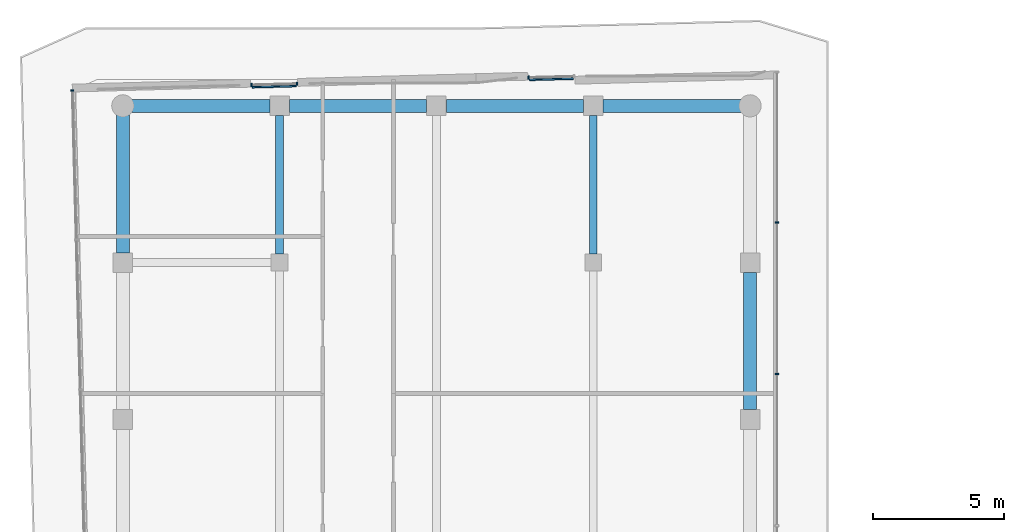
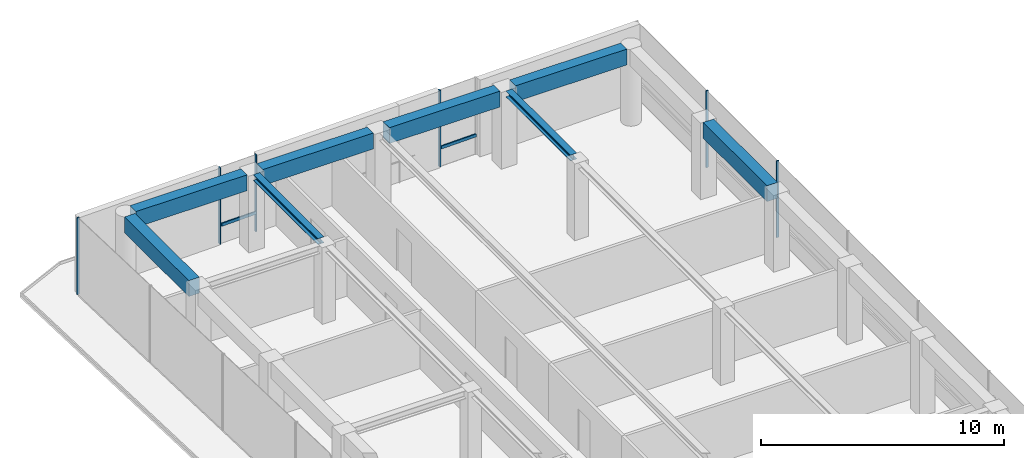
# One storey, part 13 of 20: 8 beams, 8 members, 4 elements without a shape of their own.
"""IFC4 building model written with IfcOpenShell, lengths in metres."""

from ifc_helpers import new_model, si_unit, direction, frame, origin, origin_2d, place, context, subcontext, project, spatial, rectangle, i_section, extrude, material, layer, layer_set, material_profile, profile_set, type_object, element, aggregate, save


model = new_model("IFC4")

# Units and contexts
model_context = context("Model", 3, precision=1e-05, world=origin(), true_north=direction((0.0, 1.0)))
body_context = subcontext(model_context, "Body", "Model", "MODEL_VIEW")
ifc_project = project(units=[si_unit("LENGTHUNIT", "METRE"), si_unit("AREAUNIT", "SQUARE_METRE"), si_unit("VOLUMEUNIT", "CUBIC_METRE"), si_unit("PLANEANGLEUNIT", "RADIAN"), si_unit("MASSUNIT", "GRAM", prefix="KILO")], contexts=[model_context])

# Site, building, storey
site_placement = place(None, origin())
site = spatial("IfcSite", under=ifc_project, at=site_placement, CompositionType="ELEMENT")
building_placement = place(site_placement, origin())
building = spatial("IfcBuilding", under=site, at=building_placement, Name="Welwitschia Terrace Campus", CompositionType="ELEMENT")
storey_placement = place(building_placement, frame((0.0, 0.0, 293.60009765625)))
storey = spatial("IfcBuildingStorey", under=building, at=storey_placement, Name="L65", CompositionType="ELEMENT", Elevation=293.60009765625)

# Beams
ifc_material_1 = material(Name="Steel S355", Category="steel")
ifc_material_profile_1 = material_profile(ifc_material_1, i_section(OverallWidth=0.300048828125, OverallDepth=0.300048828125, WebThickness=0.010986328125, FlangeThickness=0.01904296875, FilletRadius=0.027099609375, at=origin_2d()))
ifc_profile_set_1 = profile_set([ifc_material_profile_1], Name="Steel S355")
beam_type_1 = type_object("IfcBeamType", Name="Interior girder HE 300 B", PredefinedType="BEAM", material=ifc_profile_set_1)
for number, where, z_axis, x_axis, name in (
    (1, (6.0, 56.325439453125, 3.699951171875), (0.0, 1.0, 0.0), (-1.0, 0.0, 0.0), "Girder GB6"),
    (2, (18.0, 56.325439453125, 3.699951171875), (0.0, 1.0, 0.0), (-1.0, 0.0, 0.0), "Girder GB6"),
):
    element("IfcBeam", number, at=place(storey_placement, frame(where, z_axis=z_axis, x_axis=x_axis)), inside=storey, type_object=beam_type_1, Name=name, PredefinedType="BEAM", context=body_context, shape_type="SweptSolid", body=[
        extrude(i_section(OverallWidth=0.300048828125, OverallDepth=0.300048828125, WebThickness=0.010986328125, FlangeThickness=0.01904296875, FilletRadius=0.027099609375, at=origin_2d()), origin(), (0.0, 0.0, 1.0), 5.30908203125),
    ])

# Curtain wall, member
ifc_material_2 = material(Name="Bronze anodised aluminium", Category="aluminium")
ifc_layer = layer(ifc_material_2, 0.1201171875)
ifc_layer_set = layer_set([ifc_layer], Name="Bronze anodised aluminium")
curtain_wall_type = type_object("IfcCurtainWallType", Name="Curtain wall CW2 tower 6000", PredefinedType="NOTDEFINED", material=ifc_layer_set)
curtain_wall_1_placement = place(storey_placement, origin())
curtain_wall_1 = element("IfcCurtainWall", 3, at=curtain_wall_1_placement, inside=storey, type_object=curtain_wall_type, Name="CW L65.0.0", PredefinedType="NOTDEFINED")
ifc_material_3 = material(Name="Bronze anodised aluminium", Category="aluminium")
ifc_material_profile_2 = material_profile(ifc_material_3, rectangle(XDim=0.1201171875, YDim=0.06005859375, at=origin_2d()))
ifc_profile_set_2 = profile_set([ifc_material_profile_2], Name="Bronze anodised aluminium")
member_type_1 = type_object("IfcMemberType", Name="Mullion 60x120", PredefinedType="MULLION", material=ifc_profile_set_2)
member_1_placement = place(storey_placement, frame((-1.9306640625, 62.58544921875, 0.0), z_axis=(0.0, 0.0, 1.0), x_axis=(0.999657324976, 0.026176948308, 0.0)))
member_1 = element("IfcMember", 4, at=member_1_placement, type_object=member_type_1, Name="Mullion L65.0.0.0", PredefinedType="MULLION", context=body_context, shape_type="SweptSolid", body=[
    extrude(rectangle(XDim=0.1201171875, YDim=0.06005859375, at=origin_2d()), origin(), (0.0, 0.0, 1.0), 3.849853515625),
])
aggregate(curtain_wall_1, [member_1])

# Curtain wall, members
curtain_wall_2_placement = place(storey_placement, origin())
curtain_wall_2 = element("IfcCurtainWall", 5, at=curtain_wall_2_placement, inside=storey, type_object=curtain_wall_type, Name="CW L65.9.0", PredefinedType="NOTDEFINED")
member_2_placement = place(storey_placement, frame((25.030029296875, 51.73193359375, 0.0), z_axis=(0.0, 0.0, 1.0), x_axis=(-1.0, 0.0, 0.0)))
member_2 = element("IfcMember", 6, at=member_2_placement, type_object=member_type_1, Name="Mullion L65.9.0.4", PredefinedType="MULLION", context=body_context, shape_type="SweptSolid", body=[
    extrude(rectangle(XDim=0.1201171875, YDim=0.06005859375, at=origin_2d()), origin(), (0.0, 0.0, 1.0), 3.849853515625),
])
member_3_placement = place(storey_placement, frame((25.030029296875, 57.53173828125, 0.0), z_axis=(0.0, 0.0, 1.0), x_axis=(-1.0, 0.0, 0.0)))
member_3 = element("IfcMember", 7, at=member_3_placement, type_object=member_type_1, Name="Mullion L65.9.0.5", PredefinedType="MULLION", context=body_context, shape_type="SweptSolid", body=[
    extrude(rectangle(XDim=0.1201171875, YDim=0.06005859375, at=origin_2d()), origin(), (0.0, 0.0, 1.0), 3.849853515625),
])
aggregate(curtain_wall_2, [member_2, member_3])

# Curtain wall, member
curtain_wall_3_placement = place(storey_placement, origin())
curtain_wall_3 = element("IfcCurtainWall", 8, at=curtain_wall_3_placement, inside=storey, type_object=curtain_wall_type, Name="CW L65.10.S0", PredefinedType="NOTDEFINED")
member_4_placement = place(storey_placement, frame((15.52734375, 63.08251953125, 0.0), z_axis=(0.0, 0.0, 1.0), x_axis=(0.026176948308, -0.999657324976, 0.0)))
member_4 = element("IfcMember", 9, at=member_4_placement, type_object=member_type_1, Name="Mullion L65.10.S0.1", PredefinedType="MULLION", context=body_context, shape_type="SweptSolid", body=[
    extrude(rectangle(XDim=0.1201171875, YDim=0.06005859375, at=origin_2d()), origin(), (0.0, 0.0, 1.0), 3.849853515625),
])

# Curtain wall, members
curtain_wall_4_placement = place(storey_placement, origin())
curtain_wall_4 = element("IfcCurtainWall", 10, at=curtain_wall_4_placement, inside=storey, type_object=curtain_wall_type, Name="CW L65.11.S0", PredefinedType="NOTDEFINED")
member_5_placement = place(storey_placement, frame((6.663818359375, 62.845947265625, 0.0), z_axis=(0.0, 0.0, 1.0), x_axis=(0.026824268136, -0.999640164579, 0.0)))
member_5 = element("IfcMember", 11, at=member_5_placement, type_object=member_type_1, Name="Mullion L65.11.S0.0", PredefinedType="MULLION", context=body_context, shape_type="SweptSolid", body=[
    extrude(rectangle(XDim=0.1201171875, YDim=0.06005859375, at=origin_2d()), origin(), (0.0, 0.0, 1.0), 3.849853515625),
])
member_6_placement = place(storey_placement, frame((4.92431640625, 62.79931640625, 0.0), z_axis=(0.0, 0.0, 1.0), x_axis=(0.026824268136, -0.999640164579, 0.0)))
member_6 = element("IfcMember", 12, at=member_6_placement, type_object=member_type_1, Name="Mullion L65.11.S0.1", PredefinedType="MULLION", context=body_context, shape_type="SweptSolid", body=[
    extrude(rectangle(XDim=0.1201171875, YDim=0.06005859375, at=origin_2d()), origin(), (0.0, 0.0, 1.0), 3.849853515625),
])

# Beams
ifc_material_4 = material(Name="Concrete C50/60", Category="concrete")
ifc_material_profile_3 = material_profile(ifc_material_4, rectangle(XDim=0.5, YDim=0.800048828125, at=origin_2d()))
ifc_profile_set_3 = profile_set([ifc_material_profile_3], Name="Concrete C50/60")
beam_type_2 = type_object("IfcBeamType", Name="Ring spandrel 500x800", PredefinedType="SPANDREL", material=ifc_profile_set_3)
beam_1_placement = place(storey_placement, frame((24.0, 50.37548828125, 3.449951171875), z_axis=(0.0, 1.0, 0.0), x_axis=(-1.0, 0.0, 0.0)))
element("IfcBeam", 13, at=beam_1_placement, inside=storey, type_object=beam_type_2, Name="Spandrel SP4", PredefinedType="SPANDREL", context=body_context, shape_type="SweptSolid", body=[
    extrude(rectangle(XDim=0.5, YDim=0.800048828125, at=origin_2d()), origin(), (0.0, 0.0, 1.0), 5.2490234375),
])
beam_2_placement = place(storey_placement, frame((23.655517578125, 62.0, 3.449951171875), z_axis=(-1.0, 0.0, 0.0), x_axis=(0.0, -1.0, 0.0)))
element("IfcBeam", 14, at=beam_2_placement, inside=storey, type_object=beam_type_2, Name="Spandrel SP4", PredefinedType="SPANDREL", context=body_context, shape_type="SweptSolid", body=[
    extrude(rectangle(XDim=0.5, YDim=0.800048828125, at=origin_2d()), origin(), (0.0, 0.0, 1.0), 5.280029296875),
])
for number, where, z_axis, x_axis, name in (
    (15, (17.62451171875, 62.0, 3.449951171875), (-1.0, 0.0, 0.0), (0.0, -1.0, 0.0), "Spandrel SP4"),
    (16, (11.62451171875, 62.0, 3.449951171875), (-1.0, 0.0, 0.0), (0.0, -1.0, 0.0), "Spandrel SP4"),
):
    element("IfcBeam", number, at=place(storey_placement, frame(where, z_axis=z_axis, x_axis=x_axis)), inside=storey, type_object=beam_type_2, Name=name, PredefinedType="SPANDREL", context=body_context, shape_type="SweptSolid", body=[
        extrude(rectangle(XDim=0.5, YDim=0.800048828125, at=origin_2d()), origin(), (0.0, 0.0, 1.0), 5.2490234375),
    ])
for number, where, z_axis, x_axis, name in (
    (17, (5.62451171875, 62.0, 3.449951171875), (-1.0, 0.0, 0.0), (0.0, -1.0, 0.0), "Spandrel SP4"),
    (18, (0.0, 61.655517578125, 3.449951171875), (0.0, -1.0, 0.0), (1.0, 0.0, 0.0), "Spandrel SP4"),
):
    element("IfcBeam", number, at=place(storey_placement, frame(where, z_axis=z_axis, x_axis=x_axis)), inside=storey, type_object=beam_type_2, Name=name, PredefinedType="SPANDREL", context=body_context, shape_type="SweptSolid", body=[
        extrude(rectangle(XDim=0.5, YDim=0.800048828125, at=origin_2d()), origin(), (0.0, 0.0, 1.0), 5.280029296875),
    ])

# Member
ifc_material_5 = material(Name="Bronze anodised aluminium", Category="aluminium")
ifc_material_profile_4 = material_profile(ifc_material_5, rectangle(XDim=0.06005859375, YDim=0.14990234375, at=origin_2d()))
ifc_profile_set_4 = profile_set([ifc_material_profile_4], Name="Bronze anodised aluminium")
member_type_2 = type_object("IfcMemberType", Name="Transom 60x150", PredefinedType="USERDEFINED", material=ifc_profile_set_4)
member_7_placement = place(storey_placement, frame((17.2392578125, 63.037353515625, 1.0), z_axis=(-0.99965783038, -0.026157640568, 0.0), x_axis=(0.026157640568, -0.99965783038, 0.0)))
member_7 = element("IfcMember", 19, at=member_7_placement, type_object=member_type_2, Name="Transom L65.10.S0", ObjectType="TRANSOM", PredefinedType="USERDEFINED", context=body_context, shape_type="SweptSolid", body=[
    extrude(rectangle(XDim=0.06005859375, YDim=0.14990234375, at=origin_2d()), origin(), (0.0, 0.0, 1.0), 1.679931640625),
])

aggregate(curtain_wall_3, [member_4, member_7])

member_8_placement = place(storey_placement, frame((6.63623046875, 62.75537109375, 1.0), z_axis=(-0.999638567385, -0.026883723647, 0.0), x_axis=(0.026883723647, -0.999638567385, 0.0)))
member_8 = element("IfcMember", 20, at=member_8_placement, type_object=member_type_2, Name="Transom L65.11.S0", ObjectType="TRANSOM", PredefinedType="USERDEFINED", context=body_context, shape_type="SweptSolid", body=[
    extrude(rectangle(XDim=0.06005859375, YDim=0.14990234375, at=origin_2d()), origin(), (0.0, 0.0, 1.0), 1.679931640625),
])

aggregate(curtain_wall_4, [member_5, member_6, member_8])

save(model, "model.ifc")
